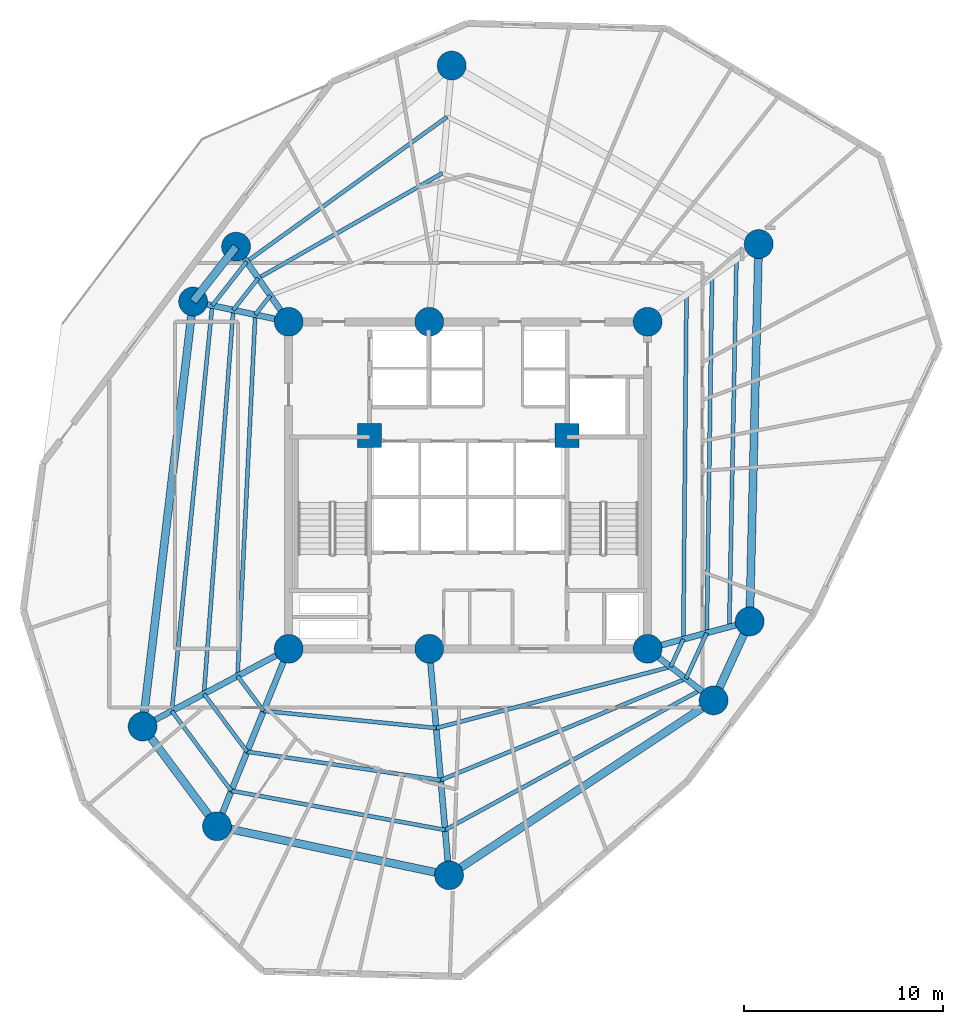
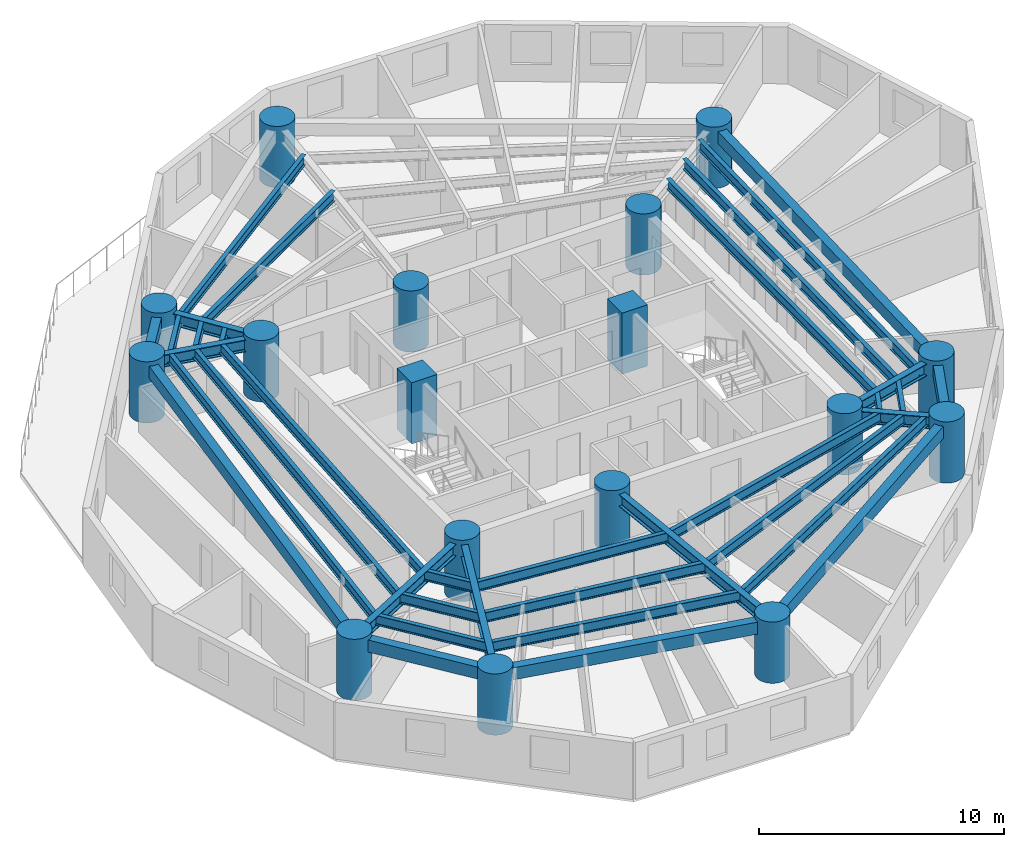
# One storey, part 1 of 9: 36 beams, 17 columns.
"""IFC4 building model written with IfcOpenShell, lengths in metres."""

from ifc_helpers import new_model, si_unit, direction, frame, origin, origin_with_axes, origin_2d, place, context, subcontext, project, spatial, rectangle, circle, i_section, extrude, source, transform, mapped, material, material_profile, profile_set, type_object, element, save


model = new_model("IFC4")

# Units and contexts
model_context = context("Model", 3, precision=1e-05, world=origin(), true_north=direction((0.0, 1.0)))
body_context = subcontext(model_context, "Body", "Model", "MODEL_VIEW")
ifc_project = project(units=[si_unit("LENGTHUNIT", "METRE"), si_unit("AREAUNIT", "SQUARE_METRE"), si_unit("VOLUMEUNIT", "CUBIC_METRE"), si_unit("PLANEANGLEUNIT", "RADIAN"), si_unit("MASSUNIT", "GRAM", prefix="KILO")], contexts=[model_context])

# Site, building, storey
site_placement = place(None, origin())
site = spatial("IfcSite", under=ifc_project, at=site_placement, CompositionType="ELEMENT")
building_placement = place(site_placement, origin())
building = spatial("IfcBuilding", under=site, at=building_placement, Name="Karkom Vertical University and Central Library", CompositionType="ELEMENT")
storey_placement = place(building_placement, frame((0.0, 0.0, 96.199951171875)))
storey = spatial("IfcBuildingStorey", under=building, at=storey_placement, Name="L25", CompositionType="ELEMENT", Elevation=96.199951171875)

# Columns
ifc_material_1 = material(Name="Concrete C50/60", Category="concrete")
ifc_material_profile_1 = material_profile(ifc_material_1, circle(Radius=0.72509765625, at=origin_2d()), Name="CFT-D1450")
ifc_profile_set_1 = profile_set([ifc_material_profile_1], Name="Concrete C50/60")
column_type_1 = type_object("IfcColumnType", Name="STR-COL-C-SC3", PredefinedType="COLUMN", material=ifc_profile_set_1)
shared_shape_1 = source(origin_with_axes(), body_context, "Body", "SweptSolid", [
    extrude(circle(Radius=0.72509765625, at=origin_2d()), origin(), (0.0, 0.0, 1.0), 3.050048828125),
])
for number, where, z_axis, x_axis, name in (
    (1, (19.5, 18.300048828125, 0.0), (0.0, 0.0, 1.0), (1.0, 0.0, 0.0), "Level 25 Spine Mega-Column SC-1"),
    (2, (26.550048828125, 18.300048828125, 0.0), (0.0, 0.0, 1.0), (1.0, 0.0, 0.0), "Level 25 Spine Mega-Column SC-2"),
    (3, (37.5, 18.300048828125, 0.0), (0.0, 0.0, 1.0), (1.0, 0.0, 0.0), "Level 25 Spine Mega-Column SC-3"),
    (4, (19.5, 34.699951171875, 0.0), (0.0, 0.0, 1.0), (1.0, 0.0, 0.0), "Level 25 Spine Mega-Column SC-4"),
    (5, (26.550048828125, 34.699951171875, 0.0), (0.0, 0.0, 1.0), (1.0, 0.0, 0.0), "Level 25 Spine Mega-Column SC-5"),
    (6, (37.5, 34.699951171875, 0.0), (0.0, 0.0, 1.0), (1.0, 0.0, 0.0), "Level 25 Spine Mega-Column SC-6"),
    (7, (42.618896484375, 19.672119140625, 0.0), (0.0, 0.0, 1.0), (1.0, 0.0, 0.0), "Level 25 Perimeter Mega-Column Z2-PC1"),
    (8, (43.070068359375, 38.60009765625, 0.0), (0.0, 0.0, 1.0), (1.0, 0.0, 0.0), "Level 25 Perimeter Mega-Column Z2-PC2"),
    (9, (27.674072265625, 47.551025390625, 0.0), (0.0, 0.0, 1.0), (1.0, 0.0, 0.0), "Level 25 Perimeter Mega-Column Z2-PC3"),
    (10, (16.862060546875, 38.468017578125, 0.0), (0.0, 0.0, 1.0), (1.0, 0.0, 0.0), "Level 25 Perimeter Mega-Column Z2-PC4"),
    (11, (14.70703125, 35.718994140625, 0.0), (0.0, 0.0, 1.0), (1.0, 0.0, 0.0), "Level 25 Perimeter Mega-Column Z2-PC5"),
    (12, (12.172119140625, 14.403076171875, 0.0), (0.0, 0.0, 1.0), (1.0, 0.0, 0.0), "Level 25 Perimeter Mega-Column Z2-PC6"),
    (13, (15.904052734375, 9.39892578125, 0.0), (0.0, 0.0, 1.0), (1.0, 0.0, 0.0), "Level 25 Perimeter Mega-Column Z2-PC7"),
    (14, (27.5439453125, 6.943115234375, 0.0), (0.0, 0.0, 1.0), (1.0, 0.0, 0.0), "Level 25 Perimeter Mega-Column Z2-PC8"),
    (15, (40.81005859375, 15.714111328125, 0.0), (0.0, 0.0, 1.0), (1.0, 0.0, 0.0), "Level 25 Perimeter Mega-Column Z2-PC9"),
):
    element("IfcColumn", number, at=place(storey_placement, frame(where, z_axis=z_axis, x_axis=x_axis)), inside=storey, type_object=column_type_1, Name=name, PredefinedType="COLUMN", context=body_context, shape_type="MappedRepresentation", body=[
        mapped(shared_shape_1, transform((0.0, 0.0, 0.0), scale=1.0)),
    ])
ifc_material_profile_2 = material_profile(ifc_material_1, rectangle(XDim=1.199951171875, YDim=1.199951171875, at=origin_2d()), Name="RC-1200x1200")
ifc_profile_set_2 = profile_set([ifc_material_profile_2], Name="Concrete C50/60")
column_type_2 = type_object("IfcColumnType", Name="STR-COL-C-CC1", PredefinedType="COLUMN", material=ifc_profile_set_2)
shared_shape_2 = source(origin_with_axes(), body_context, "Body", "SweptSolid", [
    extrude(rectangle(XDim=1.199951171875, YDim=1.199951171875, at=origin_2d()), origin(), (0.0, 0.0, 1.0), 3.050048828125),
])
for number, where, z_axis, x_axis, name in (
    (16, (23.550048828125, 29.0, 0.0), (0.0, 0.0, 1.0), (1.0, 0.0, 0.0), "Level 25 Core Node Column CC-1"),
    (17, (33.449951171875, 29.0, 0.0), (0.0, 0.0, 1.0), (1.0, 0.0, 0.0), "Level 25 Core Node Column CC-2"),
):
    element("IfcColumn", number, at=place(storey_placement, frame(where, z_axis=z_axis, x_axis=x_axis)), inside=storey, type_object=column_type_2, Name=name, PredefinedType="COLUMN", context=body_context, shape_type="MappedRepresentation", body=[
        mapped(shared_shape_2, transform((0.0, 0.0, 0.0), scale=1.0)),
    ])

# Beams
ifc_material_2 = material(Name="Precast concrete C45/55", Category="concrete")
ifc_material_profile_3 = material_profile(ifc_material_2, rectangle(XDim=0.39990234375, YDim=0.60009765625, at=origin_2d()), Name="SPB-400x600")
ifc_profile_set_3 = profile_set([ifc_material_profile_3], Name="Precast concrete C45/55")
beam_type_1 = type_object("IfcBeamType", Name="STR-BM-SP-1", PredefinedType="SPANDREL", material=ifc_profile_set_3)
shared_shape_3 = source(origin_with_axes(), body_context, "Body", "SweptSolid", [
    extrude(rectangle(XDim=0.39990234375, YDim=0.60009765625, at=origin_2d()), origin(), (0.0, 0.0, 1.0), 18.933349609375),
])
beam_1_placement = place(storey_placement, frame((42.618896484375, 19.672119140625, 2.525146484375), z_axis=(0.02382947333, 0.999716037783, 0.0), x_axis=(-0.999716037783, 0.02382947333, 0.0)))
element("IfcBeam", 18, at=beam_1_placement, inside=storey, type_object=beam_type_1, Name="Level 25 Perimeter Spandrel Beam 01", PredefinedType="SPANDREL", context=body_context, shape_type="MappedRepresentation", body=[
    mapped(shared_shape_3, transform((0.0, 0.0, 0.0), scale=1.0)),
])
shared_shape_4 = source(origin_with_axes(), body_context, "Body", "SweptSolid", [
    extrude(rectangle(XDim=0.39990234375, YDim=0.60009765625, at=origin_2d()), origin(), (0.0, 0.0, 1.0), 3.492919921875),
])
beam_2_placement = place(storey_placement, frame((16.862060546875, 38.468017578125, 2.525146484375), z_axis=(-0.616950700538, -0.787001799938, 0.0), x_axis=(0.787001799938, -0.616950700538, 0.0)))
element("IfcBeam", 19, at=beam_2_placement, inside=storey, type_object=beam_type_1, Name="Level 25 Perimeter Spandrel Beam 04", PredefinedType="SPANDREL", context=body_context, shape_type="MappedRepresentation", body=[
    mapped(shared_shape_4, transform((0.0, 0.0, 0.0), scale=1.0)),
])
shared_shape_5 = source(origin_with_axes(), body_context, "Body", "SweptSolid", [
    extrude(rectangle(XDim=0.39990234375, YDim=0.60009765625, at=origin_2d()), origin(), (0.0, 0.0, 1.0), 21.466064453125),
])
beam_3_placement = place(storey_placement, frame((14.70703125, 35.718994140625, 2.525146484375), z_axis=(-0.118088996795, -0.993003015522, 0.0), x_axis=(0.993003015522, -0.118088996795, 0.0)))
element("IfcBeam", 20, at=beam_3_placement, inside=storey, type_object=beam_type_1, Name="Level 25 Perimeter Spandrel Beam 05", PredefinedType="SPANDREL", context=body_context, shape_type="MappedRepresentation", body=[
    mapped(shared_shape_5, transform((0.0, 0.0, 0.0), scale=1.0)),
])
shared_shape_6 = source(origin_with_axes(), body_context, "Body", "SweptSolid", [
    extrude(rectangle(XDim=0.39990234375, YDim=0.60009765625, at=origin_2d()), origin(), (0.0, 0.0, 1.0), 6.242431640625),
])
beam_4_placement = place(storey_placement, frame((12.172119140625, 14.403076171875, 2.525146484375), z_axis=(0.59782643552, -0.801625569074, 0.0), x_axis=(0.801625569074, 0.59782643552, 0.0)))
element("IfcBeam", 21, at=beam_4_placement, inside=storey, type_object=beam_type_1, Name="Level 25 Perimeter Spandrel Beam 06", PredefinedType="SPANDREL", context=body_context, shape_type="MappedRepresentation", body=[
    mapped(shared_shape_6, transform((0.0, 0.0, 0.0), scale=1.0)),
])
shared_shape_7 = source(origin_with_axes(), body_context, "Body", "SweptSolid", [
    extrude(rectangle(XDim=0.39990234375, YDim=0.60009765625, at=origin_2d()), origin(), (0.0, 0.0, 1.0), 11.896240234375),
])
beam_5_placement = place(storey_placement, frame((15.904052734375, 9.39892578125, 2.525146484375), z_axis=(0.978459762135, -0.206437627101, 0.0), x_axis=(0.206437627101, 0.978459762135, 0.0)))
element("IfcBeam", 22, at=beam_5_placement, inside=storey, type_object=beam_type_1, Name="Level 25 Perimeter Spandrel Beam 07", PredefinedType="SPANDREL", context=body_context, shape_type="MappedRepresentation", body=[
    mapped(shared_shape_7, transform((0.0, 0.0, 0.0), scale=1.0)),
])
shared_shape_8 = source(origin_with_axes(), body_context, "Body", "SweptSolid", [
    extrude(rectangle(XDim=0.39990234375, YDim=0.60009765625, at=origin_2d()), origin(), (0.0, 0.0, 1.0), 15.903564453125),
])
beam_6_placement = place(storey_placement, frame((27.5439453125, 6.943115234375, 2.525146484375), z_axis=(0.834165069331, 0.551514856652, 0.0), x_axis=(-0.551514856652, 0.834165069331, 0.0)))
element("IfcBeam", 23, at=beam_6_placement, inside=storey, type_object=beam_type_1, Name="Level 25 Perimeter Spandrel Beam 08", PredefinedType="SPANDREL", context=body_context, shape_type="MappedRepresentation", body=[
    mapped(shared_shape_8, transform((0.0, 0.0, 0.0), scale=1.0)),
])
shared_shape_9 = source(origin_with_axes(), body_context, "Body", "SweptSolid", [
    extrude(rectangle(XDim=0.39990234375, YDim=0.60009765625, at=origin_2d()), origin(), (0.0, 0.0, 1.0), 4.351806640625),
])
beam_7_placement = place(storey_placement, frame((40.81005859375, 15.714111328125, 2.525146484375), z_axis=(0.415657668422, 0.909521139217, 0.0), x_axis=(-0.909521139217, 0.415657668422, 0.0)))
element("IfcBeam", 24, at=beam_7_placement, inside=storey, type_object=beam_type_1, Name="Level 25 Perimeter Spandrel Beam 09", PredefinedType="SPANDREL", context=body_context, shape_type="MappedRepresentation", body=[
    mapped(shared_shape_9, transform((0.0, 0.0, 0.0), scale=1.0)),
])
ifc_material_3 = material(Name="Steel S355", Category="steel")
ifc_material_profile_4 = material_profile(ifc_material_3, i_section(OverallWidth=0.199951171875, OverallDepth=0.5, WebThickness=0.01025390625, FlangeThickness=0.01611328125, FilletRadius=0.02099609375, at=origin_2d()), Name="IPE 500")
ifc_profile_set_4 = profile_set([ifc_material_profile_4], Name="Steel S355")
beam_type_2 = type_object("IfcBeamType", Name="STR-BM-SB-IPE500", PredefinedType="BEAM", material=ifc_profile_set_4)
shared_shape_10 = source(origin_with_axes(), body_context, "Body", "SweptSolid", [
    extrude(i_section(OverallWidth=0.199951171875, OverallDepth=0.5, WebThickness=0.01025390625, FlangeThickness=0.01611328125, FilletRadius=0.02099609375, at=origin_2d()), origin(), (0.0, 0.0, 1.0), 17.285400390625),
])
beam_8_placement = place(storey_placement, frame((39.29150390625, 18.7802734375, 2.574951171875), z_axis=(0.009138294648, 0.999958244914, 0.0), x_axis=(-0.999958244914, 0.009138294648, 0.0)))
element("IfcBeam", 25, at=beam_8_placement, inside=storey, type_object=beam_type_2, Name="Level 25 Secondary Composite Floor Beam 1.01", PredefinedType="BEAM", context=body_context, shape_type="MappedRepresentation", body=[
    mapped(shared_shape_10, transform((0.0, 0.0, 0.0), scale=1.0)),
])
shared_shape_11 = source(origin_with_axes(), body_context, "Body", "SweptSolid", [
    extrude(i_section(OverallWidth=0.199951171875, OverallDepth=0.5, WebThickness=0.01025390625, FlangeThickness=0.01611328125, FilletRadius=0.02099609375, at=origin_2d()), origin(), (0.0, 0.0, 1.0), 1.222412109375),
])
beam_9_placement = place(storey_placement, frame((18.57666015625, 36.018798828125, 2.574951171875), z_axis=(-0.616895037184, -0.787045432677, 0.0), x_axis=(0.787045432677, -0.616895037184, 0.0)))
element("IfcBeam", 26, at=beam_9_placement, inside=storey, type_object=beam_type_2, Name="Level 25 Secondary Composite Floor Beam 1.04", PredefinedType="BEAM", context=body_context, shape_type="MappedRepresentation", body=[
    mapped(shared_shape_11, transform((0.0, 0.0, 0.0), scale=1.0)),
])
shared_shape_12 = source(origin_with_axes(), body_context, "Body", "SweptSolid", [
    extrude(i_section(OverallWidth=0.199951171875, OverallDepth=0.5, WebThickness=0.01025390625, FlangeThickness=0.01611328125, FilletRadius=0.02099609375, at=origin_2d()), origin(), (0.0, 0.0, 1.0), 18.142333984375),
])
beam_10_placement = place(storey_placement, frame((17.822509765625, 35.056640625, 2.574951171875), z_axis=(-0.048902644774, -0.998803549921, 0.0), x_axis=(0.998803549921, -0.048902644774, 0.0)))
element("IfcBeam", 27, at=beam_10_placement, inside=storey, type_object=beam_type_2, Name="Level 25 Secondary Composite Floor Beam 1.05", PredefinedType="BEAM", context=body_context, shape_type="MappedRepresentation", body=[
    mapped(shared_shape_12, transform((0.0, 0.0, 0.0), scale=1.0)),
])
shared_shape_13 = source(origin_with_axes(), body_context, "Body", "SweptSolid", [
    extrude(i_section(OverallWidth=0.199951171875, OverallDepth=0.5, WebThickness=0.01025390625, FlangeThickness=0.01611328125, FilletRadius=0.02099609375, at=origin_2d()), origin(), (0.0, 0.0, 1.0), 2.1845703125),
])
beam_11_placement = place(storey_placement, frame((16.935302734375, 16.93603515625, 2.574951171875), z_axis=(0.597870130664, -0.801592980795, 0.0), x_axis=(0.801592980795, 0.597870130664, 0.0)))
element("IfcBeam", 28, at=beam_11_placement, inside=storey, type_object=beam_type_2, Name="Level 25 Secondary Composite Floor Beam 1.06", PredefinedType="BEAM", context=body_context, shape_type="MappedRepresentation", body=[
    mapped(shared_shape_13, transform((0.0, 0.0, 0.0), scale=1.0)),
])
shared_shape_14 = source(origin_with_axes(), body_context, "Body", "SweptSolid", [
    extrude(i_section(OverallWidth=0.199951171875, OverallDepth=0.5, WebThickness=0.01025390625, FlangeThickness=0.01611328125, FilletRadius=0.02099609375, at=origin_2d()), origin(), (0.0, 0.0, 1.0), 8.698974609375),
])
beam_12_placement = place(storey_placement, frame((18.241455078125, 15.184814453125, 2.574951171875), z_axis=(0.995105588045, -0.098817349903, 0.0), x_axis=(0.098817349903, 0.995105588045, 0.0)))
element("IfcBeam", 29, at=beam_12_placement, inside=storey, type_object=beam_type_2, Name="Level 25 Secondary Composite Floor Beam 1.07", PredefinedType="BEAM", context=body_context, shape_type="MappedRepresentation", body=[
    mapped(shared_shape_14, transform((0.0, 0.0, 0.0), scale=1.0)),
])
shared_shape_15 = source(origin_with_axes(), body_context, "Body", "SweptSolid", [
    extrude(i_section(OverallWidth=0.199951171875, OverallDepth=0.5, WebThickness=0.01025390625, FlangeThickness=0.01611328125, FilletRadius=0.02099609375, at=origin_2d()), origin(), (0.0, 0.0, 1.0), 12.154541015625),
])
beam_13_placement = place(storey_placement, frame((26.89794921875, 14.3251953125, 2.574951171875), z_axis=(0.967579719768, 0.252565805077, 0.0), x_axis=(-0.252565805077, 0.967579719768, 0.0)))
element("IfcBeam", 30, at=beam_13_placement, inside=storey, type_object=beam_type_2, Name="Level 25 Secondary Composite Floor Beam 1.08", PredefinedType="BEAM", context=body_context, shape_type="MappedRepresentation", body=[
    mapped(shared_shape_15, transform((0.0, 0.0, 0.0), scale=1.0)),
])
shared_shape_16 = source(origin_with_axes(), body_context, "Body", "SweptSolid", [
    extrude(i_section(OverallWidth=0.199951171875, OverallDepth=0.5, WebThickness=0.01025390625, FlangeThickness=0.01611328125, FilletRadius=0.02099609375, at=origin_2d()), origin(), (0.0, 0.0, 1.0), 1.52294921875),
])
beam_14_placement = place(storey_placement, frame((38.658447265625, 17.39501953125, 2.574951171875), z_axis=(0.415649898107, 0.909524690266, 0.0), x_axis=(-0.909524690266, 0.415649898107, 0.0)))
element("IfcBeam", 31, at=beam_14_placement, inside=storey, type_object=beam_type_2, Name="Level 25 Secondary Composite Floor Beam 1.09", PredefinedType="BEAM", context=body_context, shape_type="MappedRepresentation", body=[
    mapped(shared_shape_16, transform((0.0, 0.0, 0.0), scale=1.0)),
])
shared_shape_17 = source(origin_with_axes(), body_context, "Body", "SweptSolid", [
    extrude(i_section(OverallWidth=0.199951171875, OverallDepth=0.5, WebThickness=0.01025390625, FlangeThickness=0.01611328125, FilletRadius=0.02099609375, at=origin_2d()), origin(), (0.0, 0.0, 1.0), 17.8681640625),
])
beam_15_placement = place(storey_placement, frame((40.468994140625, 19.095703125, 2.574951171875), z_axis=(0.014647239676, 0.999892723431, 0.0), x_axis=(-0.999892723431, 0.014647239676, 0.0)))
element("IfcBeam", 32, at=beam_15_placement, inside=storey, type_object=beam_type_2, Name="Level 25 Secondary Composite Floor Beam 2.01", PredefinedType="BEAM", context=body_context, shape_type="MappedRepresentation", body=[
    mapped(shared_shape_17, transform((0.0, 0.0, 0.0), scale=1.0)),
])
shared_shape_18 = source(origin_with_axes(), body_context, "Body", "SweptSolid", [
    extrude(i_section(OverallWidth=0.199951171875, OverallDepth=0.5, WebThickness=0.01025390625, FlangeThickness=0.01611328125, FilletRadius=0.02099609375, at=origin_2d()), origin(), (0.0, 0.0, 1.0), 10.629150390625),
])
beam_16_placement = place(storey_placement, frame((27.201904296875, 42.153564453125, 2.574951171875), z_axis=(-0.868539813491, -0.495619402748, 0.0), x_axis=(0.495619402748, -0.868539813491, 0.0)))
element("IfcBeam", 33, at=beam_16_placement, inside=storey, type_object=beam_type_2, Name="Level 25 Secondary Composite Floor Beam 2.03", PredefinedType="BEAM", context=body_context, shape_type="MappedRepresentation", body=[
    mapped(shared_shape_18, transform((0.0, 0.0, 0.0), scale=1.0)),
])
shared_shape_19 = source(origin_with_axes(), body_context, "Body", "SweptSolid", [
    extrude(i_section(OverallWidth=0.199951171875, OverallDepth=0.5, WebThickness=0.01025390625, FlangeThickness=0.01611328125, FilletRadius=0.02099609375, at=origin_2d()), origin(), (0.0, 0.0, 1.0), 2.02587890625),
])
beam_17_placement = place(storey_placement, frame((17.969970703125, 36.885498046875, 2.574951171875), z_axis=(-0.616889733535, -0.787049589708, 0.0), x_axis=(0.787049589708, -0.616889733535, 0.0)))
element("IfcBeam", 34, at=beam_17_placement, inside=storey, type_object=beam_type_2, Name="Level 25 Secondary Composite Floor Beam 2.04", PredefinedType="BEAM", context=body_context, shape_type="MappedRepresentation", body=[
    mapped(shared_shape_19, transform((0.0, 0.0, 0.0), scale=1.0)),
])
shared_shape_20 = source(origin_with_axes(), body_context, "Body", "SweptSolid", [
    extrude(i_section(OverallWidth=0.199951171875, OverallDepth=0.5, WebThickness=0.01025390625, FlangeThickness=0.01611328125, FilletRadius=0.02099609375, at=origin_2d()), origin(), (0.0, 0.0, 1.0), 19.307373046875),
])
beam_18_placement = place(storey_placement, frame((16.72021484375, 35.291015625, 2.574951171875), z_axis=(-0.07616078645, -0.997095549387, 0.0), x_axis=(0.997095549387, -0.07616078645, 0.0)))
element("IfcBeam", 35, at=beam_18_placement, inside=storey, type_object=beam_type_2, Name="Level 25 Secondary Composite Floor Beam 2.05", PredefinedType="BEAM", context=body_context, shape_type="MappedRepresentation", body=[
    mapped(shared_shape_20, transform((0.0, 0.0, 0.0), scale=1.0)),
])
shared_shape_21 = source(origin_with_axes(), body_context, "Body", "SweptSolid", [
    extrude(i_section(OverallWidth=0.199951171875, OverallDepth=0.5, WebThickness=0.01025390625, FlangeThickness=0.01611328125, FilletRadius=0.02099609375, at=origin_2d()), origin(), (0.0, 0.0, 1.0), 3.62060546875),
])
beam_19_placement = place(storey_placement, frame((15.249755859375, 16.039794921875, 2.574951171875), z_axis=(0.59784003707, -0.801615425298, 0.0), x_axis=(0.801615425298, 0.59784003707, 0.0)))
element("IfcBeam", 36, at=beam_19_placement, inside=storey, type_object=beam_type_2, Name="Level 25 Secondary Composite Floor Beam 2.06", PredefinedType="BEAM", context=body_context, shape_type="MappedRepresentation", body=[
    mapped(shared_shape_21, transform((0.0, 0.0, 0.0), scale=1.0)),
])
shared_shape_22 = source(origin_with_axes(), body_context, "Body", "SweptSolid", [
    extrude(i_section(OverallWidth=0.199951171875, OverallDepth=0.5, WebThickness=0.01025390625, FlangeThickness=0.01611328125, FilletRadius=0.02099609375, at=origin_2d()), origin(), (0.0, 0.0, 1.0), 9.816162109375),
])
beam_20_placement = place(storey_placement, frame((17.414306640625, 13.137451171875, 2.574951171875), z_axis=(0.989413295367, -0.145125225069, 0.0), x_axis=(0.145125225069, 0.989413295367, 0.0)))
element("IfcBeam", 37, at=beam_20_placement, inside=storey, type_object=beam_type_2, Name="Level 25 Secondary Composite Floor Beam 2.07", PredefinedType="BEAM", context=body_context, shape_type="MappedRepresentation", body=[
    mapped(shared_shape_22, transform((0.0, 0.0, 0.0), scale=1.0)),
])
shared_shape_23 = source(origin_with_axes(), body_context, "Body", "SweptSolid", [
    extrude(i_section(OverallWidth=0.199951171875, OverallDepth=0.5, WebThickness=0.01025390625, FlangeThickness=0.01611328125, FilletRadius=0.02099609375, at=origin_2d()), origin(), (0.0, 0.0, 1.0), 13.304443359375),
])
beam_21_placement = place(storey_placement, frame((27.12646484375, 11.712890625, 2.574951171875), z_axis=(0.924011243398, 0.382365299255, 0.0), x_axis=(-0.382365299255, 0.924011243398, 0.0)))
element("IfcBeam", 38, at=beam_21_placement, inside=storey, type_object=beam_type_2, Name="Level 25 Secondary Composite Floor Beam 2.08", PredefinedType="BEAM", context=body_context, shape_type="MappedRepresentation", body=[
    mapped(shared_shape_23, transform((0.0, 0.0, 0.0), scale=1.0)),
])
shared_shape_24 = source(origin_with_axes(), body_context, "Body", "SweptSolid", [
    extrude(i_section(OverallWidth=0.199951171875, OverallDepth=0.5, WebThickness=0.01025390625, FlangeThickness=0.01611328125, FilletRadius=0.02099609375, at=origin_2d()), origin(), (0.0, 0.0, 1.0), 2.52392578125),
])
beam_22_placement = place(storey_placement, frame((39.419921875, 16.800048828125, 2.574951171875), z_axis=(0.415638602127, 0.909529852408, 0.0), x_axis=(-0.909529852408, 0.415638602127, 0.0)))
element("IfcBeam", 39, at=beam_22_placement, inside=storey, type_object=beam_type_2, Name="Level 25 Secondary Composite Floor Beam 2.09", PredefinedType="BEAM", context=body_context, shape_type="MappedRepresentation", body=[
    mapped(shared_shape_24, transform((0.0, 0.0, 0.0), scale=1.0)),
])
shared_shape_25 = source(origin_with_axes(), body_context, "Body", "SweptSolid", [
    extrude(i_section(OverallWidth=0.199951171875, OverallDepth=0.5, WebThickness=0.01025390625, FlangeThickness=0.01611328125, FilletRadius=0.02099609375, at=origin_2d()), origin(), (0.0, 0.0, 1.0), 18.42578125),
])
beam_23_placement = place(storey_placement, frame((41.59521484375, 19.397705078125, 2.574951171875), z_axis=(0.019583298818, 0.999808228816, 0.0), x_axis=(-0.999808228816, 0.019583298818, 0.0)))
element("IfcBeam", 40, at=beam_23_placement, inside=storey, type_object=beam_type_2, Name="Level 25 Secondary Composite Floor Beam 3.01", PredefinedType="BEAM", context=body_context, shape_type="MappedRepresentation", body=[
    mapped(shared_shape_25, transform((0.0, 0.0, 0.0), scale=1.0)),
])
shared_shape_26 = source(origin_with_axes(), body_context, "Body", "SweptSolid", [
    extrude(i_section(OverallWidth=0.199951171875, OverallDepth=0.5, WebThickness=0.01025390625, FlangeThickness=0.01611328125, FilletRadius=0.02099609375, at=origin_2d()), origin(), (0.0, 0.0, 1.0), 12.409423828125),
])
beam_24_placement = place(storey_placement, frame((27.44921875, 44.980712890625, 2.574951171875), z_axis=(-0.810636686292, -0.585549453793, 0.0), x_axis=(0.585549453793, -0.810636686292, 0.0)))
element("IfcBeam", 41, at=beam_24_placement, inside=storey, type_object=beam_type_2, Name="Level 25 Secondary Composite Floor Beam 3.03", PredefinedType="BEAM", context=body_context, shape_type="MappedRepresentation", body=[
    mapped(shared_shape_26, transform((0.0, 0.0, 0.0), scale=1.0)),
])
shared_shape_27 = source(origin_with_axes(), body_context, "Body", "SweptSolid", [
    extrude(i_section(OverallWidth=0.199951171875, OverallDepth=0.5, WebThickness=0.01025390625, FlangeThickness=0.01611328125, FilletRadius=0.02099609375, at=origin_2d()), origin(), (0.0, 0.0, 1.0), 2.79443359375),
])
beam_25_placement = place(storey_placement, frame((17.3896484375, 37.71435546875, 2.574951171875), z_axis=(-0.616972344898, -0.786984831894, 0.0), x_axis=(0.786984831894, -0.616972344898, 0.0)))
element("IfcBeam", 42, at=beam_25_placement, inside=storey, type_object=beam_type_2, Name="Level 25 Secondary Composite Floor Beam 3.04", PredefinedType="BEAM", context=body_context, shape_type="MappedRepresentation", body=[
    mapped(shared_shape_27, transform((0.0, 0.0, 0.0), scale=1.0)),
])
shared_shape_28 = source(origin_with_axes(), body_context, "Body", "SweptSolid", [
    extrude(i_section(OverallWidth=0.199951171875, OverallDepth=0.5, WebThickness=0.01025390625, FlangeThickness=0.01611328125, FilletRadius=0.02099609375, at=origin_2d()), origin(), (0.0, 0.0, 1.0), 20.43359375),
])
beam_26_placement = place(storey_placement, frame((15.66552734375, 35.51513671875, 2.574951171875), z_axis=(-0.099239913611, -0.995063535432, 0.0), x_axis=(0.995063535432, -0.099239913611, 0.0)))
element("IfcBeam", 43, at=beam_26_placement, inside=storey, type_object=beam_type_2, Name="Level 25 Secondary Composite Floor Beam 3.05", PredefinedType="BEAM", context=body_context, shape_type="MappedRepresentation", body=[
    mapped(shared_shape_28, transform((0.0, 0.0, 0.0), scale=1.0)),
])
shared_shape_29 = source(origin_with_axes(), body_context, "Body", "SweptSolid", [
    extrude(i_section(OverallWidth=0.199951171875, OverallDepth=0.5, WebThickness=0.01025390625, FlangeThickness=0.01611328125, FilletRadius=0.02099609375, at=origin_2d()), origin(), (0.0, 0.0, 1.0), 4.993896484375),
])
beam_27_placement = place(storey_placement, frame((13.6376953125, 15.182373046875, 2.574951171875), z_axis=(0.597846775537, -0.801610399745, 0.0), x_axis=(0.801610399745, 0.597846775537, 0.0)))
element("IfcBeam", 44, at=beam_27_placement, inside=storey, type_object=beam_type_2, Name="Level 25 Secondary Composite Floor Beam 3.06", PredefinedType="BEAM", context=body_context, shape_type="MappedRepresentation", body=[
    mapped(shared_shape_29, transform((0.0, 0.0, 0.0), scale=1.0)),
])
shared_shape_30 = source(origin_with_axes(), body_context, "Body", "SweptSolid", [
    extrude(i_section(OverallWidth=0.199951171875, OverallDepth=0.5, WebThickness=0.01025390625, FlangeThickness=0.01611328125, FilletRadius=0.02099609375, at=origin_2d()), origin(), (0.0, 0.0, 1.0), 10.900390625),
])
beam_28_placement = place(storey_placement, frame((16.623291015625, 11.17919921875, 2.574951171875), z_axis=(0.98362026014, -0.180253110495, 0.0), x_axis=(0.180253110495, 0.98362026014, 0.0)))
element("IfcBeam", 45, at=beam_28_placement, inside=storey, type_object=beam_type_2, Name="Level 25 Secondary Composite Floor Beam 3.07", PredefinedType="BEAM", context=body_context, shape_type="MappedRepresentation", body=[
    mapped(shared_shape_30, transform((0.0, 0.0, 0.0), scale=1.0)),
])
shared_shape_31 = source(origin_with_axes(), body_context, "Body", "SweptSolid", [
    extrude(i_section(OverallWidth=0.199951171875, OverallDepth=0.5, WebThickness=0.01025390625, FlangeThickness=0.01611328125, FilletRadius=0.02099609375, at=origin_2d()), origin(), (0.0, 0.0, 1.0), 14.599609375),
])
beam_29_placement = place(storey_placement, frame((27.34521484375, 9.21435546875, 2.574951171875), z_axis=(0.876928143127, 0.480621505752, 0.0), x_axis=(-0.480621505752, 0.876928143127, 0.0)))
element("IfcBeam", 46, at=beam_29_placement, inside=storey, type_object=beam_type_2, Name="Level 25 Secondary Composite Floor Beam 3.08", PredefinedType="BEAM", context=body_context, shape_type="MappedRepresentation", body=[
    mapped(shared_shape_31, transform((0.0, 0.0, 0.0), scale=1.0)),
])
ifc_material_profile_5 = material_profile(ifc_material_3, i_section(OverallWidth=0.300048828125, OverallDepth=0.60009765625, WebThickness=0.015380859375, FlangeThickness=0.030029296875, FilletRadius=0.027099609375, at=origin_2d()), Name="HE 600 B")
ifc_profile_set_5 = profile_set([ifc_material_profile_5], Name="Steel S355")
beam_type_3 = type_object("IfcBeamType", Name="STR-BM-SB-HE600", PredefinedType="USERDEFINED", material=ifc_profile_set_5)
shared_shape_32 = source(origin_with_axes(), body_context, "Body", "SweptSolid", [
    extrude(i_section(OverallWidth=0.300048828125, OverallDepth=0.60009765625, WebThickness=0.015380859375, FlangeThickness=0.030029296875, FilletRadius=0.027099609375, at=origin_2d()), origin(), (0.0, 0.0, 1.0), 5.299560546875),
])
beam_30_placement = place(storey_placement, frame((37.5, 18.300048828125, 2.525146484375), z_axis=(0.965903833688, 0.258901108663, 0.0), x_axis=(-0.258901108663, 0.965903833688, 0.0)))
element("IfcBeam", 47, at=beam_30_placement, inside=storey, type_object=beam_type_3, Name="Level 25 Radial Frame Girder 01", ObjectType="GIRDER", PredefinedType="USERDEFINED", context=body_context, shape_type="MappedRepresentation", body=[
    mapped(shared_shape_32, transform((0.0, 0.0, 0.0), scale=1.0)),
])
shared_shape_33 = source(origin_with_axes(), body_context, "Body", "SweptSolid", [
    extrude(i_section(OverallWidth=0.300048828125, OverallDepth=0.60009765625, WebThickness=0.015380859375, FlangeThickness=0.030029296875, FilletRadius=0.027099609375, at=origin_2d()), origin(), (0.0, 0.0, 1.0), 4.599609375),
])
beam_31_placement = place(storey_placement, frame((19.5, 34.699951171875, 2.525146484375), z_axis=(-0.573505090764, 0.819201996377, 0.0), x_axis=(-0.819201996377, -0.573505090764, 0.0)))
element("IfcBeam", 48, at=beam_31_placement, inside=storey, type_object=beam_type_3, Name="Level 25 Radial Frame Girder 04", ObjectType="GIRDER", PredefinedType="USERDEFINED", context=body_context, shape_type="MappedRepresentation", body=[
    mapped(shared_shape_33, transform((0.0, 0.0, 0.0), scale=1.0)),
])
shared_shape_34 = source(origin_with_axes(), body_context, "Body", "SweptSolid", [
    extrude(i_section(OverallWidth=0.300048828125, OverallDepth=0.60009765625, WebThickness=0.015380859375, FlangeThickness=0.030029296875, FilletRadius=0.027099609375, at=origin_2d()), origin(), (0.0, 0.0, 1.0), 4.900146484375),
])
beam_32_placement = place(storey_placement, frame((19.5, 34.699951171875, 2.525146484375), z_axis=(-0.978136559131, 0.207963630695, 0.0), x_axis=(-0.207963630695, -0.978136559131, 0.0)))
element("IfcBeam", 49, at=beam_32_placement, inside=storey, type_object=beam_type_3, Name="Level 25 Radial Frame Girder 05", ObjectType="GIRDER", PredefinedType="USERDEFINED", context=body_context, shape_type="MappedRepresentation", body=[
    mapped(shared_shape_34, transform((0.0, 0.0, 0.0), scale=1.0)),
])
shared_shape_35 = source(origin_with_axes(), body_context, "Body", "SweptSolid", [
    extrude(i_section(OverallWidth=0.300048828125, OverallDepth=0.60009765625, WebThickness=0.015380859375, FlangeThickness=0.030029296875, FilletRadius=0.027099609375, at=origin_2d()), origin(), (0.0, 0.0, 1.0), 8.299560546875),
])
beam_33_placement = place(storey_placement, frame((19.5, 18.300048828125, 2.525146484375), z_axis=(-0.882914163564, -0.469534428746, 0.0), x_axis=(0.469534428746, -0.882914163564, 0.0)))
element("IfcBeam", 50, at=beam_33_placement, inside=storey, type_object=beam_type_3, Name="Level 25 Radial Frame Girder 06", ObjectType="GIRDER", PredefinedType="USERDEFINED", context=body_context, shape_type="MappedRepresentation", body=[
    mapped(shared_shape_35, transform((0.0, 0.0, 0.0), scale=1.0)),
])
shared_shape_36 = source(origin_with_axes(), body_context, "Body", "SweptSolid", [
    extrude(i_section(OverallWidth=0.300048828125, OverallDepth=0.60009765625, WebThickness=0.015380859375, FlangeThickness=0.030029296875, FilletRadius=0.027099609375, at=origin_2d()), origin(), (0.0, 0.0, 1.0), 9.60009765625),
])
beam_34_placement = place(storey_placement, frame((19.5, 18.300048828125, 2.525146484375), z_axis=(-0.374576157034, -0.927196151082, 0.0), x_axis=(0.927196151082, -0.374576157034, 0.0)))
element("IfcBeam", 51, at=beam_34_placement, inside=storey, type_object=beam_type_3, Name="Level 25 Radial Frame Girder 07", ObjectType="GIRDER", PredefinedType="USERDEFINED", context=body_context, shape_type="MappedRepresentation", body=[
    mapped(shared_shape_36, transform((0.0, 0.0, 0.0), scale=1.0)),
])
shared_shape_37 = source(origin_with_axes(), body_context, "Body", "SweptSolid", [
    extrude(i_section(OverallWidth=0.300048828125, OverallDepth=0.60009765625, WebThickness=0.015380859375, FlangeThickness=0.030029296875, FilletRadius=0.027099609375, at=origin_2d()), origin(), (0.0, 0.0, 1.0), 11.400390625),
])
beam_35_placement = place(storey_placement, frame((26.550048828125, 18.300048828125, 2.525146484375), z_axis=(0.087181295702, -0.996192462168, 0.0), x_axis=(0.996192462168, 0.087181295702, 0.0)))
element("IfcBeam", 52, at=beam_35_placement, inside=storey, type_object=beam_type_3, Name="Level 25 Radial Frame Girder 08", ObjectType="GIRDER", PredefinedType="USERDEFINED", context=body_context, shape_type="MappedRepresentation", body=[
    mapped(shared_shape_37, transform((0.0, 0.0, 0.0), scale=1.0)),
])
shared_shape_38 = source(origin_with_axes(), body_context, "Body", "SweptSolid", [
    extrude(i_section(OverallWidth=0.300048828125, OverallDepth=0.60009765625, WebThickness=0.015380859375, FlangeThickness=0.030029296875, FilletRadius=0.027099609375, at=origin_2d()), origin(), (0.0, 0.0, 1.0), 4.200439453125),
])
beam_36_placement = place(storey_placement, frame((37.5, 18.300048828125, 2.525146484375), z_axis=(0.788029660796, -0.615637274461, 0.0), x_axis=(0.615637274461, 0.788029660796, 0.0)))
element("IfcBeam", 53, at=beam_36_placement, inside=storey, type_object=beam_type_3, Name="Level 25 Radial Frame Girder 09", ObjectType="GIRDER", PredefinedType="USERDEFINED", context=body_context, shape_type="MappedRepresentation", body=[
    mapped(shared_shape_38, transform((0.0, 0.0, 0.0), scale=1.0)),
])

save(model, "model.ifc")
